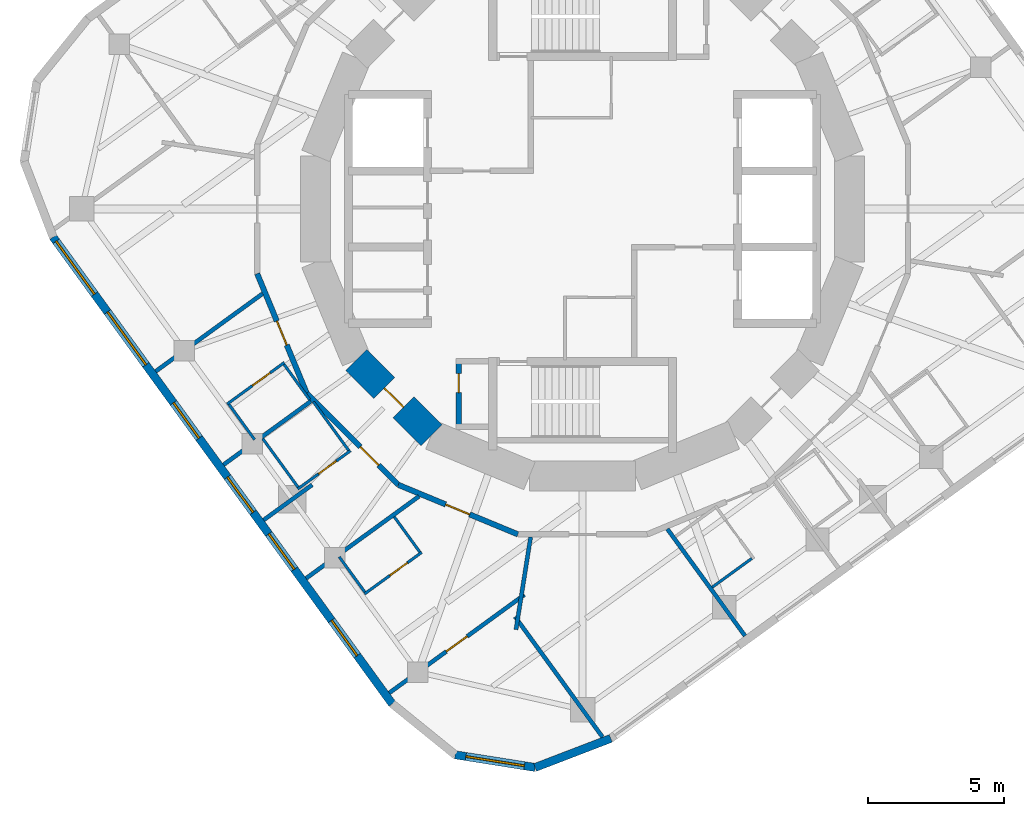
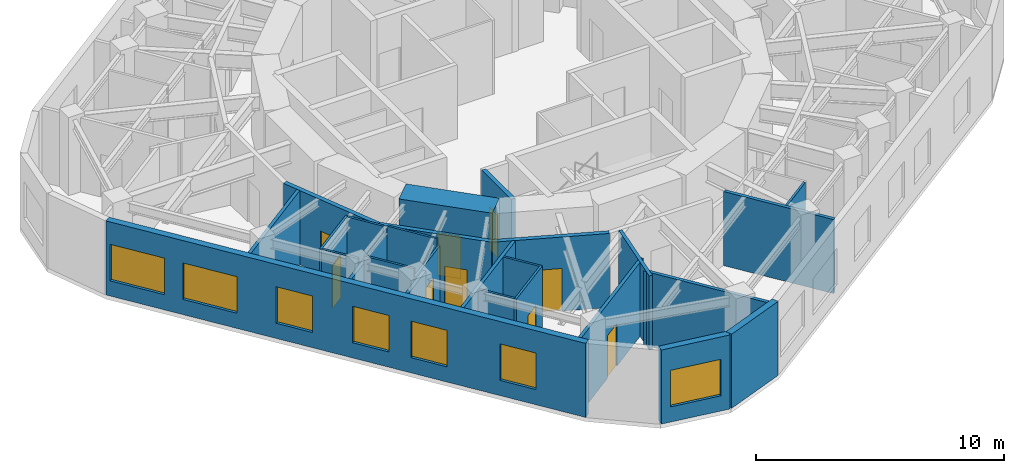
# One storey, part 3 of 9: 26 walls, 9 doors, 7 windows, 16 openings.
"""IFC4 building model written with IfcOpenShell, lengths in metres."""

import ifcopenshell
import ifcopenshell.guid

model = None  # the IFC model being written
_history = None  # IfcOwnerHistory: only IFC2X3 demands one
_inside = {}  # id of a spatial element -> (the spatial element, [elements in it])
_under = {}  # id of a project, library or spatial element -> (it, [spatial elements below it])
_declared = {}  # id of a project -> (the project, [libraries it declares])
_typed = {}  # id of a type object -> (the type object, [elements of that type])
_made_of = {}  # id of a material, layer set ... -> (it, [elements and type objects made of it])


def new_model(schema):
    """Start an empty IFC model of exactly this schema.

    Asked for "IFC4X3", IfcOpenShell would pick the latest addendum, in which some entities
    have other attributes; the version numbers below select the first issue.
    IFC2X3 requires an IfcOwnerHistory on every rooted entity: one is made here for all.
    """
    global model, _history
    if schema == "IFC4X3":
        model = ifcopenshell.file(schema_version=(4, 3, 0, 0))
    else:
        model = ifcopenshell.file(schema=schema)
    _inside.clear()
    _under.clear()
    _declared.clear()
    _typed.clear()
    _made_of.clear()
    _history = None
    if model.schema == "IFC2X3":
        org = make("IfcOrganization", Name="unknown")
        user = make(
            "IfcPersonAndOrganization",
            ThePerson=make("IfcPerson", FamilyName="unknown"),
            TheOrganization=org,
        )
        app = make(
            "IfcApplication",
            ApplicationDeveloper=org,
            Version="unknown",
            ApplicationFullName="unknown",
            ApplicationIdentifier="unknown",
        )
        _history = make(
            "IfcOwnerHistory",
            OwningUser=user,
            OwningApplication=app,
            ChangeAction="ADDED",
            CreationDate=0,
        )
    return model


def make(cls, **values):
    """One entity of the class cls with the attributes given. An attribute that is None is left unset."""
    return model.create_entity(
        cls, **{name: value for name, value in values.items() if value is not None}
    )


def rooted(cls, **values):
    """An entity with a GlobalId (a new one), such as an element, a storey or a relation."""
    return make(cls, GlobalId=ifcopenshell.guid.new(), OwnerHistory=_history, **values)


def si_unit(unit_type, name, prefix=None):
    """IfcSIUnit, for example si_unit("LENGTHUNIT", "METRE", prefix="MILLI")."""
    return make("IfcSIUnit", UnitType=unit_type, Prefix=prefix, Name=name)


def assignment(units):
    """IfcUnitAssignment: the units of a project."""
    return None if units is None else make("IfcUnitAssignment", Units=units)


def point(xyz):
    """IfcCartesianPoint."""
    return None if xyz is None else make("IfcCartesianPoint", Coordinates=xyz)


def direction(xyz):
    """IfcDirection."""
    return None if xyz is None else make("IfcDirection", DirectionRatios=xyz)


def frame(location, z_axis=None, x_axis=None):
    """IfcAxis2Placement3D, a coordinate frame: its origin and axes. An axis left out is left unset."""
    return make(
        "IfcAxis2Placement3D",
        Location=point(location),
        Axis=direction(z_axis),
        RefDirection=direction(x_axis),
    )


def frame_2d(location, x_axis=None):
    """IfcAxis2Placement2D, a coordinate frame in the plane: its origin and x axis."""
    return make(
        "IfcAxis2Placement2D", Location=point(location), RefDirection=direction(x_axis)
    )


def origin():
    """The frame at (0, 0, 0) with its axes left unset."""
    return frame((0.0, 0.0, 0.0))


def place(relative_to, where):
    """IfcLocalPlacement: puts the frame where relative to a parent placement (None: the world)."""
    return make(
        "IfcLocalPlacement", PlacementRelTo=relative_to, RelativePlacement=where
    )


def context(
    kind, dimensions, precision=None, world=None, true_north=None, identifier=None
):
    """IfcGeometricRepresentationContext, for example the 3D "Model" context."""
    return make(
        "IfcGeometricRepresentationContext",
        ContextIdentifier=identifier,
        ContextType=kind,
        CoordinateSpaceDimension=dimensions,
        Precision=precision,
        WorldCoordinateSystem=world,
        TrueNorth=true_north,
    )


def subcontext(parent, identifier, kind, view, scale=None):
    """IfcGeometricRepresentationSubContext, for example "Body" below "Model"."""
    return make(
        "IfcGeometricRepresentationSubContext",
        ContextIdentifier=identifier,
        ContextType=kind,
        ParentContext=parent,
        TargetScale=scale,
        TargetView=view,
    )


def project(units=None, contexts=None):
    """IfcProject with its units and contexts."""
    return rooted(
        "IfcProject",
        Name="project",
        RepresentationContexts=contexts,
        UnitsInContext=assignment(units),
    )


def spatial(cls, under=None, at=None, **own):
    """A site, building, storey or space (cls), placed at a placement, below another one or the project."""
    s = rooted(cls, ObjectPlacement=at, **own)
    if under is not None:
        _under.setdefault(under.id(), (under, []))[1].append(s)
    return s


def profile(cls, at=None, kind="AREA", **sizes):
    """A parametric profile (cls). Its sizes go by their IFC names, for example OverallWidth=200.0."""
    return make(cls, ProfileType=kind, Position=at, **sizes)


def rectangle(**sizes):
    """IfcRectangleProfileDef."""
    return profile("IfcRectangleProfileDef", **sizes)


def extrude(swept, where, along, depth):
    """IfcExtrudedAreaSolid: the profile swept, set in the frame where, extruded along a direction by depth."""
    return make(
        "IfcExtrudedAreaSolid",
        SweptArea=swept,
        Position=where,
        ExtrudedDirection=direction(along),
        Depth=depth,
    )


def shape(context_of_items, identifier, shape_type, items):
    """IfcShapeRepresentation: the items that make up one representation, for example the "Body"."""
    return make(
        "IfcShapeRepresentation",
        ContextOfItems=context_of_items,
        RepresentationIdentifier=identifier,
        RepresentationType=shape_type,
        Items=items,
    )


def material(Name=None, Category=None):
    """IfcMaterial."""
    return make("IfcMaterial", Name=Name, Category=Category)


def layer(
    of_material, thickness, ventilated=None, Name=None, Category=None, Priority=None
):
    """IfcMaterialLayer: one layer of a wall or slab, of a material (None: an air gap)."""
    return make(
        "IfcMaterialLayer",
        Material=of_material,
        LayerThickness=thickness,
        IsVentilated=ventilated,
        Name=Name,
        Category=Category,
        Priority=Priority,
    )


def layer_set(layers, Name=None):
    """IfcMaterialLayerSet."""
    return make("IfcMaterialLayerSet", MaterialLayers=layers, LayerSetName=Name)


def made_of(thing, what):
    """Note that an element or type object is made of a material, layer set ...; save() writes the relation."""
    if what is not None:
        _made_of.setdefault(what.id(), (what, []))[1].append(thing)
    return thing


def type_object(cls, material=None, **own):
    """A type object (cls), such as IfcWallType, which elements share."""
    return made_of(rooted(cls, **own), material)


def element(
    cls,
    number,
    at=None,
    inside=None,
    cuts=None,
    type_object=None,
    material=None,
    context=None,
    identifier="Body",
    shape_type=None,
    held_by="IfcProductDefinitionShape",
    body=None,
    shapes=None,
    **own,
):
    """One element of the class cls, such as IfcWall. Its Tag is "e" and its number.

    at: its placement. inside: the storey or other place that contains it. cuts: it is an
    opening in that element (IfcRelVoidsElement). A single representation is given by context,
    identifier, shape_type and body (its items); several are given by shapes. held_by: the class
    of the entity that holds the representations. save() writes the other relations.
    """
    e = rooted(cls, Tag="e%d" % number, ObjectPlacement=at, **own)
    if body is not None:
        shapes = [shape(context, identifier, shape_type, body)]
    if shapes is not None:
        e.Representation = make(held_by, Representations=shapes)
    if inside is not None:
        _inside.setdefault(inside.id(), (inside, []))[1].append(e)
    if cuts is not None:
        rooted(
            "IfcRelVoidsElement", RelatingBuildingElement=cuts, RelatedOpeningElement=e
        )
    if type_object is not None:
        _typed.setdefault(type_object.id(), (type_object, []))[1].append(e)
    return made_of(e, material)


def fill(opening, filler):
    """IfcRelFillsElement: the door or window that sits in an opening."""
    return rooted(
        "IfcRelFillsElement",
        RelatingOpeningElement=opening,
        RelatedBuildingElement=filler,
    )


def aggregate(whole, parts):
    """IfcRelAggregates: a whole, such as a stair, and the parts it consists of."""
    return rooted("IfcRelAggregates", RelatingObject=whole, RelatedObjects=parts)


def save(model, path):
    """Write the relations noted so far, then the file.

    IfcRelAggregates (storeys below a building ...), IfcRelContainedInSpatialStructure (elements
    in a storey), IfcRelDefinesByType, IfcRelAssociatesMaterial and IfcRelDeclares: one each for
    every whole, place, type object, material and project.
    """
    for whole, parts in _under.values():
        aggregate(whole, parts)
    for where, things in _inside.values():
        rooted(
            "IfcRelContainedInSpatialStructure",
            RelatedElements=things,
            RelatingStructure=where,
        )
    for kind, things in _typed.values():
        rooted("IfcRelDefinesByType", RelatedObjects=things, RelatingType=kind)
    for what, things in _made_of.values():
        rooted("IfcRelAssociatesMaterial", RelatedObjects=things, RelatingMaterial=what)
    for by, libraries in _declared.values():
        rooted("IfcRelDeclares", RelatingContext=by, RelatedDefinitions=libraries)
    model.write(path)


model = new_model("IFC4")

# Units and contexts
model_context = context("Model", 3, precision=1e-05, world=origin(), true_north=direction((0.0, 1.0)))
body_context = subcontext(model_context, "Body", "Model", "MODEL_VIEW")
ifc_project = project(units=[si_unit("LENGTHUNIT", "METRE"), si_unit("AREAUNIT", "SQUARE_METRE"), si_unit("VOLUMEUNIT", "CUBIC_METRE"), si_unit("PLANEANGLEUNIT", "RADIAN"), si_unit("MASSUNIT", "GRAM", prefix="KILO")], contexts=[model_context])

# Site, building, storey
site_placement = place(None, origin())
site = spatial("IfcSite", under=ifc_project, at=site_placement, CompositionType="ELEMENT")
building_placement = place(site_placement, origin())
building = spatial("IfcBuilding", under=site, at=building_placement, Name="Nakasero Lantern House", CompositionType="ELEMENT")
storey_placement = place(building_placement, frame((0.0, 0.0, 271.449951171875)))
storey = spatial("IfcBuildingStorey", under=building, at=storey_placement, Name="L66", CompositionType="ELEMENT", Elevation=271.449951171875)

# Wall, opening, door
ifc_material_1 = material(Name="Concrete C50/60", Category="concrete")
ifc_layer_1 = layer(ifc_material_1, 1.10009765625)
ifc_layer_set_1 = layer_set([ifc_layer_1], Name="Core wall 1100")
wall_type_1 = type_object("IfcWallType", Name="Core wall 1100", PredefinedType="SHEAR", material=ifc_layer_set_1)
wall_1_placement = place(storey_placement, frame((-8.314697265625, -5.5556640625, 0.0), z_axis=(0.0, 0.0, 1.0), x_axis=(0.707106781187, -0.707106781187, 0.0)))
wall_1 = element("IfcWall", 1, at=wall_1_placement, inside=storey, type_object=wall_type_1, Name="Core wall L66 facet 10", PredefinedType="SHEAR", context=body_context, shape_type="SweptSolid", body=[
    extrude(rectangle(XDim=3.90185546875, YDim=1.10009765625, at=frame_2d((1.950927734375, 0.0))), origin(), (0.0, 0.0, 1.0), 3.85009765625),
])
opening_1_placement = place(wall_1_placement, frame((1.450927734375, 0.0, 0.0)))
opening_1 = element("IfcOpeningElement", 2, at=opening_1_placement, cuts=wall_1, Name="Opening D05", PredefinedType="OPENING", context=body_context, shape_type="SweptSolid", body=[
    extrude(rectangle(XDim=1.0, YDim=2.10009765625, at=frame_2d((0.5, 1.050048828125))), frame((0.0, 0.570068359375, 0.0), z_axis=(0.0, -1.0, 0.0), x_axis=(1.0, 0.0, 0.0)), (0.0, 0.0, 1.0), 1.14013671875),
])
ifc_material_2 = material(Name="Timber C24", Category="wood")
door_type_1 = type_object("IfcDoorType", Name="Core door FD60S 1000", OperationType="SINGLE_SWING_LEFT", PredefinedType="DOOR", material=ifc_material_2)
door_1_placement = place(opening_1_placement, origin())
door_1 = element("IfcDoor", 3, at=door_1_placement, inside=storey, type_object=door_type_1, Name="Door L66 D-CORE10", OperationType="SINGLE_SWING_LEFT", OverallHeight=2.10009765625, OverallWidth=1.0, PredefinedType="DOOR", context=body_context, shape_type="SweptSolid", body=[
    extrude(rectangle(XDim=1.0, YDim=2.10009765625, at=frame_2d((0.5, 1.050048828125))), frame((0.0, 0.02490234375, 0.0), z_axis=(0.0, -1.0, 0.0), x_axis=(1.0, 0.0, 0.0)), (0.0, 0.0, 1.0), 0.050048828125),
])
fill(opening_1, door_1)

ifc_material_3 = material(Name="Blockwork", Category="masonry")
ifc_layer_2 = layer(ifc_material_3, 0.199951171875)
ifc_layer_set_2 = layer_set([ifc_layer_2], Name="Corridor wall 200")
wall_type_2 = type_object("IfcWallType", Name="Corridor wall 200", PredefinedType="PARTITIONING", material=ifc_layer_set_2)
wall_2_placement = place(storey_placement, frame((-2.378662109375, -11.957763671875, 0.0), z_axis=(0.0, 0.0, 1.0), x_axis=(-0.923891735412, 0.382653970627, 0.0)))
wall_2 = element("IfcWall", 4, at=wall_2_placement, inside=storey, type_object=wall_type_2, Name="Corridor wall L66 RC05a", PredefinedType="PARTITIONING", context=body_context, shape_type="SweptSolid", body=[
    extrude(rectangle(XDim=4.757080078125, YDim=0.199951171875, at=frame_2d((2.37841796875, 0.0))), origin(), (0.0, 0.0, 1.0), 3.650146484375),
])
opening_2_placement = place(wall_2_placement, frame((1.919921875, 0.0, 0.0)))
opening_2 = element("IfcOpeningElement", 5, at=opening_2_placement, cuts=wall_2, Name="Opening D01", PredefinedType="OPENING", context=body_context, shape_type="SweptSolid", body=[
    extrude(rectangle(XDim=0.949951171875, YDim=2.10009765625, at=frame_2d((0.47509765625, 1.050048828125))), frame((0.0, 0.119873046875, 0.0), z_axis=(0.0, -1.0, 0.0), x_axis=(1.0, 0.0, 0.0)), (0.0, 0.0, 1.0), 0.239990234375),
])
ifc_material_4 = material(Name="Timber C24", Category="wood")
door_type_2 = type_object("IfcDoorType", Name="Bedroom door FD30S 950", OperationType="SINGLE_SWING_LEFT", PredefinedType="DOOR", material=ifc_material_4)
door_2_placement = place(opening_2_placement, origin())
door_2 = element("IfcDoor", 6, at=door_2_placement, inside=storey, type_object=door_type_2, Name="Door L66 D2-06", OperationType="SINGLE_SWING_RIGHT", OverallHeight=2.10009765625, OverallWidth=0.949951171875, PredefinedType="DOOR", context=body_context, shape_type="SweptSolid", body=[
    extrude(rectangle(XDim=0.949951171875, YDim=2.10009765625, at=frame_2d((0.47509765625, 1.050048828125))), frame((0.0, 0.02490234375, 0.0), z_axis=(0.0, -1.0, 0.0), x_axis=(1.0, 0.0, 0.0)), (0.0, 0.0, 1.0), 0.050048828125),
])
fill(opening_2, door_2)

wall_3_placement = place(storey_placement, frame((-6.773681640625, -10.137451171875, 0.0), z_axis=(0.0, 0.0, 1.0), x_axis=(-0.707106781187, 0.707106781187, 0.0)))
wall_3 = element("IfcWall", 7, at=wall_3_placement, inside=storey, type_object=wall_type_2, Name="Corridor wall L66 RC06a", PredefinedType="PARTITIONING", context=body_context, shape_type="SweptSolid", body=[
    extrude(rectangle(XDim=4.757080078125, YDim=0.199951171875, at=frame_2d((2.37841796875, 0.0))), origin(), (0.0, 0.0, 1.0), 3.650146484375),
])
opening_3_placement = place(wall_3_placement, frame((1.02001953125, 0.0, 0.0)))
opening_3 = element("IfcOpeningElement", 8, at=opening_3_placement, cuts=wall_3, Name="Opening D01", PredefinedType="OPENING", context=body_context, shape_type="SweptSolid", body=[
    extrude(rectangle(XDim=0.949951171875, YDim=2.10009765625, at=frame_2d((0.47509765625, 1.050048828125))), frame((0.0, 0.119873046875, 0.0), z_axis=(0.0, -1.0, 0.0), x_axis=(1.0, 0.0, 0.0)), (0.0, 0.0, 1.0), 0.239990234375),
])
door_3_placement = place(opening_3_placement, origin())
door_3 = element("IfcDoor", 9, at=door_3_placement, inside=storey, type_object=door_type_2, Name="Door L66 D2-04", OperationType="SINGLE_SWING_LEFT", OverallHeight=2.10009765625, OverallWidth=0.949951171875, PredefinedType="DOOR", context=body_context, shape_type="SweptSolid", body=[
    extrude(rectangle(XDim=0.949951171875, YDim=2.10009765625, at=frame_2d((0.47509765625, 1.050048828125))), frame((0.0, 0.02490234375, 0.0), z_axis=(0.0, -1.0, 0.0), x_axis=(1.0, 0.0, 0.0)), (0.0, 0.0, 1.0), 0.050048828125),
])
fill(opening_3, door_3)

wall_4_placement = place(storey_placement, frame((-10.137451171875, -6.773681640625, 0.0), z_axis=(0.0, 0.0, 1.0), x_axis=(-0.382653970627, 0.923891735412, 0.0)))
wall_4 = element("IfcWall", 10, at=wall_4_placement, inside=storey, type_object=wall_type_2, Name="Corridor wall L66 RC07a", PredefinedType="PARTITIONING", context=body_context, shape_type="SweptSolid", body=[
    extrude(rectangle(XDim=4.757080078125, YDim=0.199951171875, at=frame_2d((2.37841796875, 0.0))), origin(), (0.0, 0.0, 1.0), 3.650146484375),
])
opening_4_placement = place(wall_4_placement, frame((1.919921875, 0.0, 0.0)))
opening_4 = element("IfcOpeningElement", 11, at=opening_4_placement, cuts=wall_4, Name="Opening D01", PredefinedType="OPENING", context=body_context, shape_type="SweptSolid", body=[
    extrude(rectangle(XDim=0.949951171875, YDim=2.10009765625, at=frame_2d((0.47509765625, 1.050048828125))), frame((0.0, 0.119873046875, 0.0), z_axis=(0.0, -1.0, 0.0), x_axis=(1.0, 0.0, 0.0)), (0.0, 0.0, 1.0), 0.239990234375),
])
door_4_placement = place(opening_4_placement, origin())
door_4 = element("IfcDoor", 12, at=door_4_placement, inside=storey, type_object=door_type_2, Name="Door L66 D2-03", OperationType="SINGLE_SWING_RIGHT", OverallHeight=2.10009765625, OverallWidth=0.949951171875, PredefinedType="DOOR", context=body_context, shape_type="SweptSolid", body=[
    extrude(rectangle(XDim=0.949951171875, YDim=2.10009765625, at=frame_2d((0.47509765625, 1.050048828125))), frame((0.0, 0.02490234375, 0.0), z_axis=(0.0, -1.0, 0.0), x_axis=(1.0, 0.0, 0.0)), (0.0, 0.0, 1.0), 0.050048828125),
])
fill(opening_4, door_4)

ifc_material_5 = material(Name="Blockwork", Category="masonry")
ifc_layer_3 = layer(ifc_material_5, 0.10009765625)
ifc_layer_set_3 = layer_set([ifc_layer_3], Name="En-suite wall 100")
wall_type_3 = type_object("IfcWallType", Name="En-suite wall 100", PredefinedType="PARTITIONING", material=ifc_layer_set_3)
wall_5_placement = place(storey_placement, frame((-10.960693359375, -5.643798828125, 0.0), z_axis=(0.0, 0.0, 1.0), x_axis=(-0.80902431253, -0.587775179585, 0.0)))
wall_5 = element("IfcWall", 13, at=wall_5_placement, inside=storey, type_object=wall_type_3, Name="En-suite wall L66 ES2-03", PredefinedType="PARTITIONING", context=body_context, shape_type="SweptSolid", body=[
    extrude(rectangle(XDim=2.599853515625, YDim=0.10009765625, at=frame_2d((1.2998046875, 0.0))), origin(), (0.0, 0.0, 1.0), 3.650146484375),
])
opening_5_placement = place(wall_5_placement, frame((0.64990234375, 0.0, 0.0)))
opening_5 = element("IfcOpeningElement", 14, at=opening_5_placement, cuts=wall_5, Name="Opening D02", PredefinedType="OPENING", context=body_context, shape_type="SweptSolid", body=[
    extrude(rectangle(XDim=0.800048828125, YDim=2.10009765625, at=frame_2d((0.39990234375, 1.050048828125))), frame((0.0, 0.070068359375, 0.0), z_axis=(0.0, -1.0, 0.0), x_axis=(1.0, 0.0, 0.0)), (0.0, 0.0, 1.0), 0.14013671875),
])
ifc_material_6 = material(Name="Timber C24", Category="wood")
door_type_3 = type_object("IfcDoorType", Name="En-suite door 800", OperationType="SINGLE_SWING_RIGHT", PredefinedType="DOOR", material=ifc_material_6)
door_5_placement = place(opening_5_placement, origin())
door_5 = element("IfcDoor", 15, at=door_5_placement, inside=storey, type_object=door_type_3, Name="Door L66 DE2-03", OperationType="SINGLE_SWING_LEFT", OverallHeight=2.10009765625, OverallWidth=0.800048828125, PredefinedType="DOOR", context=body_context, shape_type="SweptSolid", body=[
    extrude(rectangle(XDim=0.800048828125, YDim=2.10009765625, at=frame_2d((0.39990234375, 1.050048828125))), frame((0.0, 0.02490234375, 0.0), z_axis=(0.0, -1.0, 0.0), x_axis=(1.0, 0.0, 0.0)), (0.0, 0.0, 1.0), 0.050048828125),
])
fill(opening_5, door_5)

# Walls
for number, where, z_axis, x_axis, name in (
    (16, (-12.994140625, -7.18310546875, 0.0), (0.0, 0.0, 1.0), (0.587772420479, -0.809026317077, 0.0), "En-suite wall L66 EE2-03"),
    (17, (-10.9716796875, -5.713623046875, 0.0), (0.0, 0.0, 1.0), (0.587772420479, -0.809026317077, 0.0), "En-suite wall L66 EI2-03"),
):
    element("IfcWall", number, at=place(storey_placement, frame(where, z_axis=z_axis, x_axis=x_axis)), inside=storey, type_object=wall_type_3, Name=name, PredefinedType="PARTITIONING", context=body_context, shape_type="SweptSolid", body=[
        extrude(rectangle(XDim=1.60009765625, YDim=0.10009765625, at=frame_2d((0.800048828125, 0.0))), origin(), (0.0, 0.0, 1.0), 3.650146484375),
    ])

# Wall, opening, door
wall_6_placement = place(storey_placement, frame((-8.528076171875, -8.88232421875, 0.0), z_axis=(0.0, 0.0, 1.0), x_axis=(-0.808977944175, -0.587838996528, 0.0)))
wall_6 = element("IfcWall", 18, at=wall_6_placement, inside=storey, type_object=wall_type_3, Name="En-suite wall L66 ES2-04", PredefinedType="PARTITIONING", context=body_context, shape_type="SweptSolid", body=[
    extrude(rectangle(XDim=2.400146484375, YDim=0.10009765625, at=frame_2d((1.2001953125, 0.0))), origin(), (0.0, 0.0, 1.0), 3.295166015625),
])
opening_6_placement = place(wall_6_placement, frame((0.64990234375, 0.0, 0.0)))
opening_6 = element("IfcOpeningElement", 19, at=opening_6_placement, cuts=wall_6, Name="Opening D02", PredefinedType="OPENING", context=body_context, shape_type="SweptSolid", body=[
    extrude(rectangle(XDim=0.800048828125, YDim=2.10009765625, at=frame_2d((0.39990234375, 1.050048828125))), frame((0.0, 0.070068359375, 0.0), z_axis=(0.0, -1.0, 0.0), x_axis=(1.0, 0.0, 0.0)), (0.0, 0.0, 1.0), 0.14013671875),
])
door_6_placement = place(opening_6_placement, origin())
door_6 = element("IfcDoor", 20, at=door_6_placement, inside=storey, type_object=door_type_3, Name="Door L66 DE2-04", OperationType="SINGLE_SWING_LEFT", OverallHeight=2.10009765625, OverallWidth=0.800048828125, PredefinedType="DOOR", context=body_context, shape_type="SweptSolid", body=[
    extrude(rectangle(XDim=0.800048828125, YDim=2.10009765625, at=frame_2d((0.39990234375, 1.050048828125))), frame((0.0, 0.02490234375, 0.0), z_axis=(0.0, -1.0, 0.0), x_axis=(1.0, 0.0, 0.0)), (0.0, 0.0, 1.0), 0.050048828125),
])
fill(opening_6, door_6)

# Walls
wall_7_placement = place(storey_placement, frame((-11.751708984375, -8.443359375, 0.0), z_axis=(0.0, 0.0, 1.0), x_axis=(0.587769160311, -0.809028685639, 0.0)))
element("IfcWall", 21, at=wall_7_placement, inside=storey, type_object=wall_type_3, Name="En-suite wall L66 EE2-04", PredefinedType="PARTITIONING", context=body_context, shape_type="SweptSolid", body=[
    extrude(rectangle(XDim=2.2001953125, YDim=0.10009765625, at=frame_2d((1.10009765625, 0.0))), origin(), (0.0, 0.0, 1.0), 3.650146484375),
])
wall_8_placement = place(storey_placement, frame((-9.89111328125, -7.091552734375, 0.0), z_axis=(0.0, 0.0, 1.0), x_axis=(0.587821928992, -0.808990345923, 0.0)))
element("IfcWall", 22, at=wall_8_placement, inside=storey, type_object=wall_type_3, Name="En-suite wall L66 EI2-04", PredefinedType="PARTITIONING", context=body_context, shape_type="SweptSolid", body=[
    extrude(rectangle(XDim=2.199951171875, YDim=0.10009765625, at=frame_2d((1.10009765625, 0.0))), origin(), (0.0, 0.0, 1.0), 3.650146484375),
])

# Wall, opening, door
wall_9_placement = place(storey_placement, frame((-5.91162109375, -12.619384765625, 0.0), z_axis=(0.0, 0.0, 1.0), x_axis=(-0.809056752413, -0.587730526155, 0.0)))
wall_9 = element("IfcWall", 23, at=wall_9_placement, inside=storey, type_object=wall_type_3, Name="En-suite wall L66 ES2-06", PredefinedType="PARTITIONING", context=body_context, shape_type="SweptSolid", body=[
    extrude(rectangle(XDim=2.599853515625, YDim=0.10009765625, at=frame_2d((1.2998046875, 0.0))), origin(), (0.0, 0.0, 1.0), 3.650146484375),
])
opening_7_placement = place(wall_9_placement, frame((0.64990234375, 0.0, 0.0)))
opening_7 = element("IfcOpeningElement", 24, at=opening_7_placement, cuts=wall_9, Name="Opening D02", PredefinedType="OPENING", context=body_context, shape_type="SweptSolid", body=[
    extrude(rectangle(XDim=0.800048828125, YDim=2.10009765625, at=frame_2d((0.39990234375, 1.050048828125))), frame((0.0, 0.070068359375, 0.0), z_axis=(0.0, -1.0, 0.0), x_axis=(1.0, 0.0, 0.0)), (0.0, 0.0, 1.0), 0.14013671875),
])
door_7_placement = place(opening_7_placement, origin())
door_7 = element("IfcDoor", 25, at=door_7_placement, inside=storey, type_object=door_type_3, Name="Door L66 DE2-06", OperationType="SINGLE_SWING_LEFT", OverallHeight=2.10009765625, OverallWidth=0.800048828125, PredefinedType="DOOR", context=body_context, shape_type="SweptSolid", body=[
    extrude(rectangle(XDim=0.800048828125, YDim=2.10009765625, at=frame_2d((0.39990234375, 1.050048828125))), frame((0.0, 0.02490234375, 0.0), z_axis=(0.0, -1.0, 0.0), x_axis=(1.0, 0.0, 0.0)), (0.0, 0.0, 1.0), 0.050048828125),
])
fill(opening_7, door_7)

# Walls
for number, where, z_axis, x_axis, name in (
    (26, (-8.9443359375, -12.783203125, 0.0), (0.0, 0.0, 1.0), (0.587772420479, -0.809026317077, 0.0), "En-suite wall L66 EE2-06"),
    (27, (-6.921875, -11.313720703125, 0.0), (0.0, 0.0, 1.0), (0.587772420479, -0.809026317077, 0.0), "En-suite wall L66 EI2-06"),
):
    element("IfcWall", number, at=place(storey_placement, frame(where, z_axis=z_axis, x_axis=x_axis)), inside=storey, type_object=wall_type_3, Name=name, PredefinedType="PARTITIONING", context=body_context, shape_type="SweptSolid", body=[
        extrude(rectangle(XDim=1.60009765625, YDim=0.10009765625, at=frame_2d((0.800048828125, 0.0))), origin(), (0.0, 0.0, 1.0), 3.650146484375),
    ])
wall_10_placement = place(storey_placement, frame((4.7626953125, -13.9013671875, 0.0), z_axis=(0.0, 0.0, 1.0), x_axis=(0.809070278701, 0.587711905718, 0.0)))
element("IfcWall", 28, at=wall_10_placement, inside=storey, type_object=wall_type_3, Name="En-suite wall L66 EE3-03", PredefinedType="PARTITIONING", context=body_context, shape_type="SweptSolid", body=[
    extrude(rectangle(XDim=1.800048828125, YDim=0.10009765625, at=frame_2d((0.89990234375, 0.0))), origin(), (0.0, 0.0, 1.0), 3.650146484375),
])

# Wall, openings, windows
ifc_material_7 = material(Name="Aluminium rainscreen on blockwork", Category="masonry")
ifc_layer_4 = layer(ifc_material_7, 0.300048828125)
ifc_layer_set_4 = layer_set([ifc_layer_4], Name="Facade wall 300")
wall_type_4 = type_object("IfcWallType", Name="Facade wall 300", PredefinedType="SOLIDWALL", material=ifc_layer_set_4)
wall_11_placement = place(storey_placement, frame((-19.4580078125, -1.03466796875, 0.0), z_axis=(0.0, 0.0, 1.0), x_axis=(0.587790233451, -0.809013375328, 0.0)))
wall_11 = element("IfcWall", 29, at=wall_11_placement, inside=storey, type_object=wall_type_4, Name="Facade wall L66 FW2S", PredefinedType="SOLIDWALL", context=body_context, shape_type="SweptSolid", body=[
    extrude(rectangle(XDim=21.199951171875, YDim=0.300048828125, at=frame_2d((10.60009765625, 0.0))), origin(), (0.0, 0.0, 1.0), 3.650146484375),
])
opening_8_placement = place(wall_11_placement, frame((7.52783203125, 0.0, 0.75)))
opening_8 = element("IfcOpeningElement", 30, at=opening_8_placement, cuts=wall_11, Name="Opening W01", PredefinedType="OPENING", context=body_context, shape_type="SweptSolid", body=[
    extrude(rectangle(XDim=1.60009765625, YDim=1.800048828125, at=frame_2d((0.800048828125, 0.89990234375))), frame((0.0, 0.169921875, 0.0), z_axis=(0.0, -1.0, 0.0), x_axis=(1.0, 0.0, 0.0)), (0.0, 0.0, 1.0), 0.340087890625),
])
opening_9_placement = place(wall_11_placement, frame((10.904052734375, 0.0, 0.75)))
opening_9 = element("IfcOpeningElement", 31, at=opening_9_placement, cuts=wall_11, Name="Opening W01", PredefinedType="OPENING", context=body_context, shape_type="SweptSolid", body=[
    extrude(rectangle(XDim=1.60009765625, YDim=1.800048828125, at=frame_2d((0.800048828125, 0.89990234375))), frame((0.0, 0.169921875, 0.0), z_axis=(0.0, -1.0, 0.0), x_axis=(1.0, 0.0, 0.0)), (0.0, 0.0, 1.0), 0.340087890625),
])
opening_10_placement = place(wall_11_placement, frame((13.484619140625, 0.0, 0.75)))
opening_10 = element("IfcOpeningElement", 32, at=opening_10_placement, cuts=wall_11, Name="Opening W01", PredefinedType="OPENING", context=body_context, shape_type="SweptSolid", body=[
    extrude(rectangle(XDim=1.60009765625, YDim=1.800048828125, at=frame_2d((0.800048828125, 0.89990234375))), frame((0.0, 0.169921875, 0.0), z_axis=(0.0, -1.0, 0.0), x_axis=(1.0, 0.0, 0.0)), (0.0, 0.0, 1.0), 0.340087890625),
])
opening_11_placement = place(wall_11_placement, frame((17.410888671875, 0.0, 0.75)))
opening_11 = element("IfcOpeningElement", 33, at=opening_11_placement, cuts=wall_11, Name="Opening W01", PredefinedType="OPENING", context=body_context, shape_type="SweptSolid", body=[
    extrude(rectangle(XDim=1.60009765625, YDim=1.800048828125, at=frame_2d((0.800048828125, 0.89990234375))), frame((0.0, 0.169921875, 0.0), z_axis=(0.0, -1.0, 0.0), x_axis=(1.0, 0.0, 0.0)), (0.0, 0.0, 1.0), 0.340087890625),
])
opening_12_placement = place(wall_11_placement, frame((0.1904296875, 0.0, 0.75)))
opening_12 = element("IfcOpeningElement", 34, at=opening_12_placement, cuts=wall_11, Name="Opening W03", PredefinedType="OPENING", context=body_context, shape_type="SweptSolid", body=[
    extrude(rectangle(XDim=2.39990234375, YDim=1.800048828125, at=frame_2d((1.199951171875, 0.89990234375))), frame((0.0, 0.169921875, 0.0), z_axis=(0.0, -1.0, 0.0), x_axis=(1.0, 0.0, 0.0)), (0.0, 0.0, 1.0), 0.340087890625),
])
opening_13_placement = place(wall_11_placement, frame((3.401611328125, 0.0, 0.75)))
opening_13 = element("IfcOpeningElement", 35, at=opening_13_placement, cuts=wall_11, Name="Opening W03", PredefinedType="OPENING", context=body_context, shape_type="SweptSolid", body=[
    extrude(rectangle(XDim=2.39990234375, YDim=1.800048828125, at=frame_2d((1.199951171875, 0.89990234375))), frame((0.0, 0.169921875, 0.0), z_axis=(0.0, -1.0, 0.0), x_axis=(1.0, 0.0, 0.0)), (0.0, 0.0, 1.0), 0.340087890625),
])
ifc_material_8 = material(Name="Aluminium 6063-T6 and glass", Category="aluminium")
window_type_1 = type_object("IfcWindowType", Name="Bedroom window 1600x1800", PartitioningType="SINGLE_PANEL", PredefinedType="WINDOW", material=ifc_material_8)
window_1_placement = place(opening_8_placement, origin())
window_1 = element("IfcWindow", 36, at=window_1_placement, inside=storey, type_object=window_type_1, Name="Window L66 WN2-03", OverallHeight=1.800048828125, OverallWidth=1.60009765625, PartitioningType="SINGLE_PANEL", PredefinedType="WINDOW", context=body_context, shape_type="SweptSolid", body=[
    extrude(rectangle(XDim=1.60009765625, YDim=1.800048828125, at=frame_2d((0.800048828125, 0.89990234375))), frame((0.0, 0.030029296875, 0.0), z_axis=(0.0, -1.0, 0.0), x_axis=(1.0, 0.0, 0.0)), (0.0, 0.0, 1.0), 0.06005859375),
])
fill(opening_8, window_1)
window_2_placement = place(opening_9_placement, origin())
window_2 = element("IfcWindow", 37, at=window_2_placement, inside=storey, type_object=window_type_1, Name="Window L66 WN2-04", OverallHeight=1.800048828125, OverallWidth=1.60009765625, PartitioningType="SINGLE_PANEL", PredefinedType="WINDOW", context=body_context, shape_type="SweptSolid", body=[
    extrude(rectangle(XDim=1.60009765625, YDim=1.800048828125, at=frame_2d((0.800048828125, 0.89990234375))), frame((0.0, 0.030029296875, 0.0), z_axis=(0.0, -1.0, 0.0), x_axis=(1.0, 0.0, 0.0)), (0.0, 0.0, 1.0), 0.06005859375),
])
fill(opening_9, window_2)
window_3_placement = place(opening_10_placement, origin())
window_3 = element("IfcWindow", 38, at=window_3_placement, inside=storey, type_object=window_type_1, Name="Window L66 WN2-05", OverallHeight=1.800048828125, OverallWidth=1.60009765625, PartitioningType="SINGLE_PANEL", PredefinedType="WINDOW", context=body_context, shape_type="SweptSolid", body=[
    extrude(rectangle(XDim=1.60009765625, YDim=1.800048828125, at=frame_2d((0.800048828125, 0.89990234375))), frame((0.0, 0.030029296875, 0.0), z_axis=(0.0, -1.0, 0.0), x_axis=(1.0, 0.0, 0.0)), (0.0, 0.0, 1.0), 0.06005859375),
])
fill(opening_10, window_3)
window_4_placement = place(opening_11_placement, origin())
window_4 = element("IfcWindow", 39, at=window_4_placement, inside=storey, type_object=window_type_1, Name="Window L66 WN2-06", OverallHeight=1.800048828125, OverallWidth=1.60009765625, PartitioningType="SINGLE_PANEL", PredefinedType="WINDOW", context=body_context, shape_type="SweptSolid", body=[
    extrude(rectangle(XDim=1.60009765625, YDim=1.800048828125, at=frame_2d((0.800048828125, 0.89990234375))), frame((0.0, 0.030029296875, 0.0), z_axis=(0.0, -1.0, 0.0), x_axis=(1.0, 0.0, 0.0)), (0.0, 0.0, 1.0), 0.06005859375),
])
fill(opening_11, window_4)
ifc_material_9 = material(Name="Aluminium 6063-T6 and glass", Category="aluminium")
window_type_2 = type_object("IfcWindowType", Name="Lounge window 2400x1800", PartitioningType="SINGLE_PANEL", PredefinedType="WINDOW", material=ifc_material_9)
window_5_placement = place(opening_12_placement, origin())
window_5 = element("IfcWindow", 40, at=window_5_placement, inside=storey, type_object=window_type_2, Name="Window L66 WK2", OverallHeight=1.800048828125, OverallWidth=2.39990234375, PartitioningType="SINGLE_PANEL", PredefinedType="WINDOW", context=body_context, shape_type="SweptSolid", body=[
    extrude(rectangle(XDim=2.39990234375, YDim=1.800048828125, at=frame_2d((1.199951171875, 0.89990234375))), frame((0.0, 0.030029296875, 0.0), z_axis=(0.0, -1.0, 0.0), x_axis=(1.0, 0.0, 0.0)), (0.0, 0.0, 1.0), 0.06005859375),
])
fill(opening_12, window_5)
window_6_placement = place(opening_13_placement, origin())
window_6 = element("IfcWindow", 41, at=window_6_placement, inside=storey, type_object=window_type_2, Name="Window L66 WL2", OverallHeight=1.800048828125, OverallWidth=2.39990234375, PartitioningType="SINGLE_PANEL", PredefinedType="WINDOW", context=body_context, shape_type="SweptSolid", body=[
    extrude(rectangle(XDim=2.39990234375, YDim=1.800048828125, at=frame_2d((1.199951171875, 0.89990234375))), frame((0.0, 0.030029296875, 0.0), z_axis=(0.0, -1.0, 0.0), x_axis=(1.0, 0.0, 0.0)), (0.0, 0.0, 1.0), 0.06005859375),
])
fill(opening_13, window_6)

# Wall, opening, window
wall_12_placement = place(storey_placement, frame((-4.683837890625, -20.05908203125, 0.0), z_axis=(0.0, 0.0, 1.0), x_axis=(0.987691704133, -0.156413227021, 0.0)))
wall_12 = element("IfcWall", 42, at=wall_12_placement, inside=storey, type_object=wall_type_4, Name="Facade wall L66 FW2C2", PredefinedType="SOLIDWALL", context=body_context, shape_type="SweptSolid", body=[
    extrude(rectangle(XDim=2.9765625, YDim=0.300048828125, at=frame_2d((1.48828125, 0.0))), origin(), (0.0, 0.0, 1.0), 3.650146484375),
])
opening_14_placement = place(wall_12_placement, frame((0.39990234375, 0.0, 0.75)))
opening_14 = element("IfcOpeningElement", 43, at=opening_14_placement, cuts=wall_12, Name="Opening W221", PredefinedType="OPENING", context=body_context, shape_type="SweptSolid", body=[
    extrude(rectangle(XDim=2.176025390625, YDim=1.800048828125, at=frame_2d((1.087890625, 0.89990234375))), frame((0.0, 0.169921875, 0.0), z_axis=(0.0, -1.0, 0.0), x_axis=(1.0, 0.0, 0.0)), (0.0, 0.0, 1.0), 0.340087890625),
])
ifc_material_10 = material(Name="Aluminium 6063-T6 and glass", Category="aluminium")
window_type_3 = type_object("IfcWindowType", Name="Corner window 2176x1800", PartitioningType="SINGLE_PANEL", PredefinedType="WINDOW", material=ifc_material_10)
window_7_placement = place(opening_14_placement, origin())
window_7 = element("IfcWindow", 44, at=window_7_placement, inside=storey, type_object=window_type_3, Name="Window L66 WC2", OverallHeight=1.800048828125, OverallWidth=2.176025390625, PartitioningType="SINGLE_PANEL", PredefinedType="WINDOW", context=body_context, shape_type="SweptSolid", body=[
    extrude(rectangle(XDim=2.176025390625, YDim=1.800048828125, at=frame_2d((1.087890625, 0.89990234375))), frame((0.0, 0.030029296875, 0.0), z_axis=(0.0, -1.0, 0.0), x_axis=(1.0, 0.0, 0.0)), (0.0, 0.0, 1.0), 0.06005859375),
])
fill(opening_14, window_7)

# Wall
wall_13_placement = place(storey_placement, frame((-1.743896484375, -20.524658203125, 0.0), z_axis=(0.0, 0.0, 1.0), x_axis=(0.933573745966, 0.35838535244, 0.0)))
element("IfcWall", 45, at=wall_13_placement, inside=storey, type_object=wall_type_4, Name="Facade wall L66 FW2C3", PredefinedType="SOLIDWALL", context=body_context, shape_type="SweptSolid", body=[
    extrude(rectangle(XDim=2.976318359375, YDim=0.300048828125, at=frame_2d((1.48828125, 0.0))), origin(), (0.0, 0.0, 1.0), 3.650146484375),
])

# Wall, opening, door
ifc_material_11 = material(Name="Blockwork", Category="masonry")
ifc_layer_5 = layer(ifc_material_11, 0.199951171875)
ifc_layer_set_5 = layer_set([ifc_layer_5], Name="Fire lobby wall 200")
wall_type_5 = type_object("IfcWallType", Name="Fire lobby wall 200", PredefinedType="PARTITIONING", material=ifc_layer_set_5)
wall_14_placement = place(storey_placement, frame((-4.550048828125, -5.60009765625, 0.0), z_axis=(0.0, 0.0, 1.0), x_axis=(0.0, -1.0, 0.0)))
wall_14 = element("IfcWall", 46, at=wall_14_placement, inside=storey, type_object=wall_type_5, Name="Fire lobby wall L66 W-RS2W", PredefinedType="PARTITIONING", context=body_context, shape_type="SweptSolid", body=[
    extrude(rectangle(XDim=2.39990234375, YDim=0.199951171875, at=frame_2d((1.199951171875, 0.0))), origin(), (0.0, 0.0, 1.0), 3.650146484375),
])
opening_15_placement = place(wall_14_placement, frame((0.449951171875, 0.0, 0.0)))
opening_15 = element("IfcOpeningElement", 47, at=opening_15_placement, cuts=wall_14, Name="Opening D06", PredefinedType="OPENING", context=body_context, shape_type="SweptSolid", body=[
    extrude(rectangle(XDim=0.699951171875, YDim=2.10009765625, at=frame_2d((0.35009765625, 1.050048828125))), frame((0.0, 0.119873046875, 0.0), z_axis=(0.0, -1.0, 0.0), x_axis=(1.0, 0.0, 0.0)), (0.0, 0.0, 1.0), 0.239990234375),
])
ifc_material_12 = material(Name="Steel S355", Category="steel")
door_type_4 = type_object("IfcDoorType", Name="Riser door FD60 700", OperationType="SINGLE_SWING_LEFT", PredefinedType="DOOR", material=ifc_material_12)
door_8_placement = place(opening_15_placement, origin())
door_8 = element("IfcDoor", 48, at=door_8_placement, inside=storey, type_object=door_type_4, Name="Door L66 D-RS2", OperationType="SINGLE_SWING_LEFT", OverallHeight=2.10009765625, OverallWidth=0.699951171875, PredefinedType="DOOR", context=body_context, shape_type="SweptSolid", body=[
    extrude(rectangle(XDim=0.699951171875, YDim=2.10009765625, at=frame_2d((0.35009765625, 1.050048828125))), frame((0.0, 0.02490234375, 0.0), z_axis=(0.0, -1.0, 0.0), x_axis=(1.0, 0.0, 0.0)), (0.0, 0.0, 1.0), 0.050048828125),
])
fill(opening_15, door_8)

# Walls
ifc_material_13 = material(Name="Blockwork", Category="masonry")
ifc_layer_6 = layer(ifc_material_13, 0.14990234375)
ifc_layer_set_6 = layer_set([ifc_layer_6], Name="Party wall 150")
wall_type_6 = type_object("IfcWallType", Name="Party wall 150", PredefinedType="PARTITIONING", material=ifc_layer_set_6)
wall_15_placement = place(storey_placement, frame((-9.939208984375, -10.13818359375, 0.0), z_axis=(0.0, 0.0, 1.0), x_axis=(-0.808990345923, -0.587821928992, 0.0)))
element("IfcWall", 49, at=wall_15_placement, inside=storey, type_object=wall_type_6, Name="Party wall L66 PN2-05", PredefinedType="PARTITIONING", context=body_context, shape_type="SweptSolid", body=[
    extrude(rectangle(XDim=2.199951171875, YDim=0.14990234375, at=frame_2d((1.10009765625, 0.0))), origin(), (0.0, 0.0, 1.0), 3.295166015625),
])
wall_16_placement = place(storey_placement, frame((-11.760986328125, -3.114990234375, 0.0), z_axis=(0.0, 0.0, 1.0), x_axis=(-0.809020895183, -0.587779883253, 0.0)))
element("IfcWall", 50, at=wall_16_placement, inside=storey, type_object=wall_type_6, Name="Party wall L66 PW2-03", PredefinedType="PARTITIONING", context=body_context, shape_type="SweptSolid", body=[
    extrude(rectangle(XDim=4.854248046875, YDim=0.14990234375, at=frame_2d((2.42724609375, 0.0))), origin(), (0.0, 0.0, 1.0), 3.650146484375),
])
wall_17_placement = place(storey_placement, frame((-9.985107421875, -7.067138671875, 0.0), z_axis=(0.0, 0.0, 1.0), x_axis=(-0.809004739075, -0.587802119896, 0.0)))
element("IfcWall", 51, at=wall_17_placement, inside=storey, type_object=wall_type_6, Name="Party wall L66 PW2-04", PredefinedType="PARTITIONING", context=body_context, shape_type="SweptSolid", body=[
    extrude(rectangle(XDim=3.9677734375, YDim=0.14990234375, at=frame_2d((1.98388671875, 0.0))), origin(), (0.0, 0.0, 1.0), 3.295166015625),
])
wall_18_placement = place(storey_placement, frame((-6.012939453125, -10.560791015625, 0.0), z_axis=(0.0, 0.0, 1.0), x_axis=(-0.809020100005, -0.587780977736, 0.0)))
element("IfcWall", 52, at=wall_18_placement, inside=storey, type_object=wall_type_6, Name="Party wall L66 PW2-06", PredefinedType="PARTITIONING", context=body_context, shape_type="SweptSolid", body=[
    extrude(rectangle(XDim=5.1279296875, YDim=0.14990234375, at=frame_2d((2.56396484375, 0.0))), origin(), (0.0, 0.0, 1.0), 3.650146484375),
])

# Wall, opening, door
wall_19_placement = place(storey_placement, frame((-2.137939453125, -14.1767578125, 0.0), z_axis=(0.0, 0.0, 1.0), x_axis=(-0.809024975628, -0.587774266883, 0.0)))
wall_19 = element("IfcWall", 53, at=wall_19_placement, inside=storey, type_object=wall_type_6, Name="Party wall L66 PW2-07", PredefinedType="PARTITIONING", context=body_context, shape_type="SweptSolid", body=[
    extrude(rectangle(XDim=6.137451171875, YDim=0.14990234375, at=frame_2d((3.06884765625, 0.0))), origin(), (0.0, 0.0, 1.0), 3.650146484375),
])
opening_16_placement = place(wall_19_placement, frame((2.60009765625, 0.0, 0.0)))
opening_16 = element("IfcOpeningElement", 54, at=opening_16_placement, cuts=wall_19, Name="Opening D01", PredefinedType="OPENING", context=body_context, shape_type="SweptSolid", body=[
    extrude(rectangle(XDim=0.949951171875, YDim=2.10009765625, at=frame_2d((0.47509765625, 1.050048828125))), frame((0.0, 0.094970703125, 0.0), z_axis=(0.0, -1.0, 0.0), x_axis=(1.0, 0.0, 0.0)), (0.0, 0.0, 1.0), 0.18994140625),
])
door_9_placement = place(opening_16_placement, origin())
door_9 = element("IfcDoor", 55, at=door_9_placement, inside=storey, type_object=door_type_2, Name="Door L66 DC2", OperationType="SINGLE_SWING_RIGHT", OverallHeight=2.10009765625, OverallWidth=0.949951171875, PredefinedType="DOOR", context=body_context, shape_type="SweptSolid", body=[
    extrude(rectangle(XDim=0.949951171875, YDim=2.10009765625, at=frame_2d((0.47509765625, 1.050048828125))), frame((0.0, 0.02490234375, 0.0), z_axis=(0.0, -1.0, 0.0), x_axis=(1.0, 0.0, 0.0)), (0.0, 0.0, 1.0), 0.050048828125),
])
fill(opening_16, door_9)

# Walls
wall_20_placement = place(storey_placement, frame((-1.90966796875, -12.057861328125, 0.0), z_axis=(0.0, 0.0, 1.0), x_axis=(-0.156465405864, -0.987683439553, 0.0)))
element("IfcWall", 56, at=wall_20_placement, inside=storey, type_object=wall_type_6, Name="Party wall L66 PD2", PredefinedType="PARTITIONING", context=body_context, shape_type="SweptSolid", body=[
    extrude(rectangle(XDim=3.440673828125, YDim=0.14990234375, at=frame_2d((1.72021484375, 0.0))), origin(), (0.0, 0.0, 1.0), 3.650146484375),
])
wall_21_placement = place(storey_placement, frame((-2.48095703125, -14.9853515625, 0.0), z_axis=(0.0, 0.0, 1.0), x_axis=(0.587775959987, -0.809023745549, 0.0)))
element("IfcWall", 57, at=wall_21_placement, inside=storey, type_object=wall_type_6, Name="Party wall L66 PW3-01", PredefinedType="PARTITIONING", context=body_context, shape_type="SweptSolid", body=[
    extrude(rectangle(XDim=5.466552734375, YDim=0.14990234375, at=frame_2d((2.7333984375, 0.0))), origin(), (0.0, 0.0, 1.0), 3.650146484375),
])
wall_22_placement = place(storey_placement, frame((3.114990234375, -11.760986328125, 0.0), z_axis=(0.0, 0.0, 1.0), x_axis=(0.587779883253, -0.809020895183, 0.0)))
element("IfcWall", 58, at=wall_22_placement, inside=storey, type_object=wall_type_6, Name="Party wall L66 PW3-03", PredefinedType="PARTITIONING", context=body_context, shape_type="SweptSolid", body=[
    extrude(rectangle(XDim=4.854248046875, YDim=0.14990234375, at=frame_2d((2.42724609375, 0.0))), origin(), (0.0, 0.0, 1.0), 3.650146484375),
])

save(model, "model.ifc")
